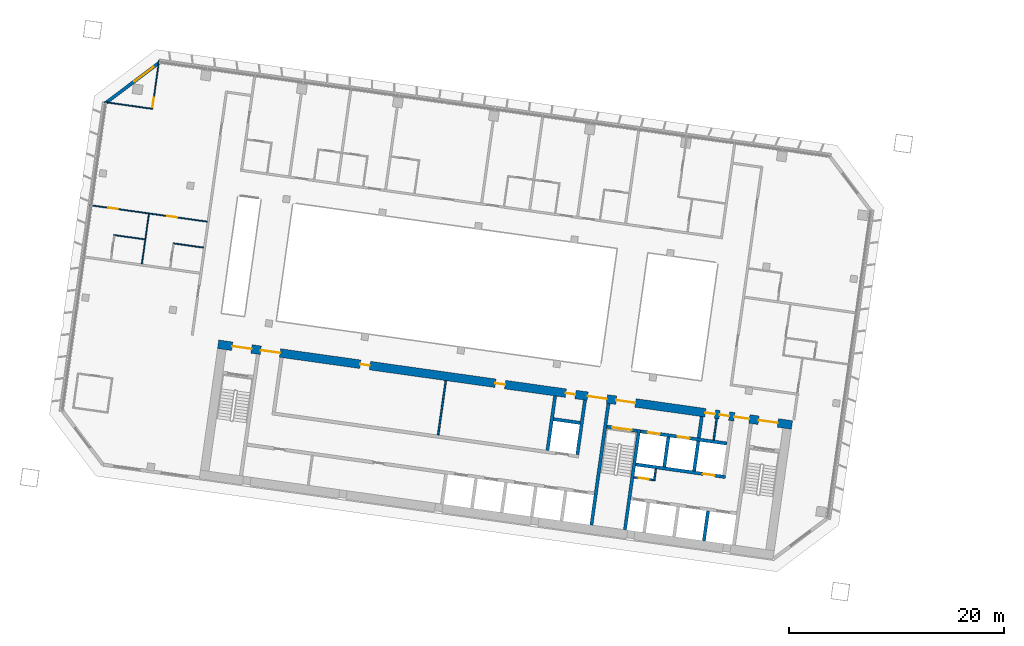
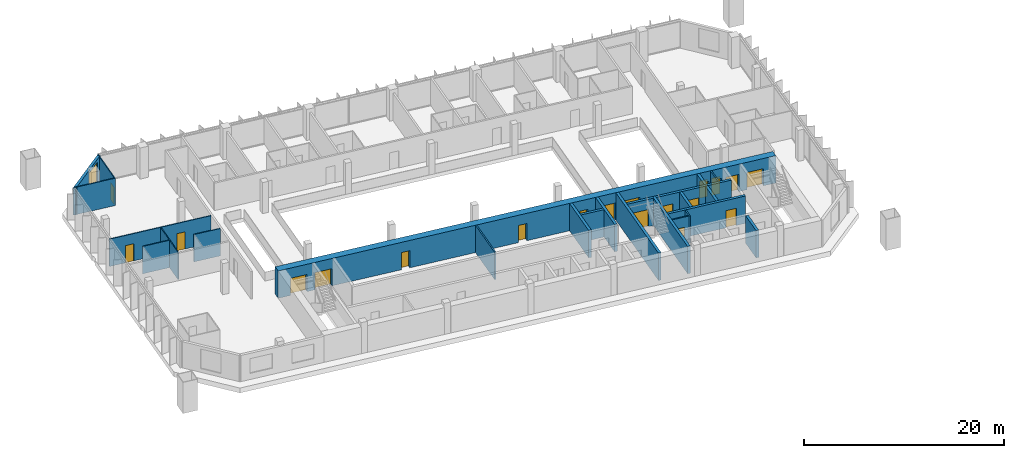
# One storey, part 15 of 24: 24 walls, 19 doors, 1 window, 20 openings.
"""IFC4 building model written with IfcOpenShell, lengths in metres."""

from ifc_helpers import new_model, si_unit, direction, frame, frame_2d, origin, place, context, subcontext, project, spatial, rectangle, extrude, material, layer, layer_set, type_object, element, fill, save


model = new_model("IFC4")

# Units and contexts
model_context = context("Model", 3, precision=1e-05, world=origin(), true_north=direction((0.0, 1.0)))
body_context = subcontext(model_context, "Body", "Model", "MODEL_VIEW")
ifc_project = project(units=[si_unit("LENGTHUNIT", "METRE"), si_unit("AREAUNIT", "SQUARE_METRE"), si_unit("VOLUMEUNIT", "CUBIC_METRE"), si_unit("PLANEANGLEUNIT", "RADIAN"), si_unit("MASSUNIT", "GRAM", prefix="KILO")], contexts=[model_context])

# Site, building, storey
site_placement = place(None, origin())
site = spatial("IfcSite", under=ifc_project, at=site_placement, CompositionType="ELEMENT")
building_placement = place(site_placement, origin())
building = spatial("IfcBuilding", under=site, at=building_placement, Name="Mirante Cascada Hotel Towers", CompositionType="ELEMENT")
storey_placement = place(building_placement, frame((0.0, 0.0, 132.9)))
storey = spatial("IfcBuildingStorey", under=building, at=storey_placement, Name="L30", CompositionType="ELEMENT", Elevation=132.9)

# Wall
ifc_material_1 = material(Name="Masonry block", Category="masonry")
ifc_layer_1 = layer(ifc_material_1, 0.15)
ifc_layer_set_1 = layer_set([ifc_layer_1], Name="Core room partition 150 block EI 30")
wall_type_1 = type_object("IfcWallType", Name="Core room partition 150 block EI 30", PredefinedType="PARTITIONING", material=ifc_layer_set_1)
wall_1_placement = place(storey_placement, frame((-48.2295, -12.793, 0.0), z_axis=(0.0, 0.0, 1.0), x_axis=(0.1391935, 0.9902652, 0.0)))
element("IfcWall", 1, at=wall_1_placement, inside=storey, type_object=wall_type_1, Name="Core wall partition T1 L30 2", PredefinedType="PARTITIONING", context=body_context, shape_type="SweptSolid", body=[
    extrude(rectangle(XDim=1.1251, YDim=0.15, at=frame_2d((0.5626, 0.0))), origin(), (0.0, 0.0, 1.0), 3.35),
])

# Wall, opening, door
wall_2_placement = place(storey_placement, frame((-48.2933, -12.7083, 0.0), z_axis=(0.0, 0.0, 1.0), x_axis=(-0.990268, 0.1391734, 0.0)))
wall_2 = element("IfcWall", 2, at=wall_2_placement, inside=storey, type_object=wall_type_1, Name="Core wall partition T1 L30 3", PredefinedType="PARTITIONING", context=body_context, shape_type="SweptSolid", body=[
    extrude(rectangle(XDim=1.8251, YDim=0.15, at=frame_2d((0.9126, 0.0))), origin(), (0.0, 0.0, 1.0), 3.35),
])
opening_1_placement = place(wall_2_placement, frame((0.4625, 0.0, 0.0)))
opening_1 = element("IfcOpeningElement", 3, at=opening_1_placement, cuts=wall_2, Name="Opening D1-30-C23", PredefinedType="OPENING", context=body_context, shape_type="SweptSolid", body=[
    extrude(rectangle(XDim=0.9, YDim=2.1, at=frame_2d((0.45, 1.05))), frame((0.0, 0.075, 0.0), z_axis=(0.0, -1.0, 0.0), x_axis=(1.0, 0.0, 0.0)), (0.0, 0.0, 1.0), 0.15),
])
ifc_material_2 = material(Name="Hollow metal fire door leaf")
door_type_1 = type_object("IfcDoorType", Name="Fire door 900x2100 FD60", OperationType="NOTDEFINED", PredefinedType="DOOR", material=ifc_material_2)
door_1_placement = place(opening_1_placement, origin())
door_1 = element("IfcDoor", 4, at=door_1_placement, inside=storey, type_object=door_type_1, Name="Riser door T1 L30 23", OperationType="SINGLE_SWING_LEFT", OverallHeight=2.1, OverallWidth=0.9, PredefinedType="DOOR", context=body_context, shape_type="SweptSolid", body=[
    extrude(rectangle(XDim=0.9, YDim=2.1, at=frame_2d((0.45, 1.05))), frame((0.0, 0.025, 0.0), z_axis=(0.0, -1.0, 0.0), x_axis=(1.0, 0.0, 0.0)), (0.0, 0.0, 1.0), 0.05),
])
fill(opening_1, door_1)

# Walls
wall_3_placement = place(storey_placement, frame((-42.6979, -9.0009, 0.0), z_axis=(0.0, 0.0, 1.0), x_axis=(0.1391529, 0.9902709, 0.0)))
element("IfcWall", 5, at=wall_3_placement, inside=storey, type_object=wall_type_1, Name="Core wall partition T1 L30 4", PredefinedType="PARTITIONING", context=body_context, shape_type="SweptSolid", body=[
    extrude(rectangle(XDim=2.0, YDim=0.15, at=frame_2d((1.0, 0.0))), origin(), (0.0, 0.0, 1.0), 3.35),
])
wall_4_placement = place(storey_placement, frame((-68.2822, -8.5358, 0.0), z_axis=(0.0, 0.0, 1.0), x_axis=(0.1391755, 0.9902677, 0.0)))
element("IfcWall", 6, at=wall_4_placement, inside=storey, type_object=wall_type_1, Name="Core wall partition T1 L30 6", PredefinedType="PARTITIONING", context=body_context, shape_type="SweptSolid", body=[
    extrude(rectangle(XDim=5.1, YDim=0.15, at=frame_2d((2.55, 0.0))), origin(), (0.0, 0.0, 1.0), 3.35),
])
ifc_material_3 = material(Name="Masonry block", Category="masonry")
ifc_layer_2 = layer(ifc_material_3, 0.3)
ifc_layer_set_2 = layer_set([ifc_layer_2], Name="Core wall 300 block EI 120")
wall_type_2 = type_object("IfcWallType", Name="Core wall 300 block EI 120", PredefinedType="PARTITIONING", material=ifc_layer_set_2)
wall_5_placement = place(storey_placement, frame((-44.0843, -8.8061, 0.0), z_axis=(0.0, 0.0, 1.0), x_axis=(0.1391951, 0.990265, 0.0)))
element("IfcWall", 7, at=wall_5_placement, inside=storey, type_object=wall_type_2, Name="Core wall partition T1 L30 1", PredefinedType="PARTITIONING", context=body_context, shape_type="SweptSolid", body=[
    extrude(rectangle(XDim=2.0001, YDim=0.3, at=frame_2d((1.0001, 0.0))), origin(), (0.0, 0.0, 1.0), 3.35),
])
ifc_material_4 = material(Name="Plasterboard on metal studs")
ifc_layer_3 = layer(ifc_material_4, 0.1)
ifc_layer_set_3 = layer_set([ifc_layer_3], Name="Partition 100")
wall_type_3 = type_object("IfcWallType", Name="Partition 100", PredefinedType="PARTITIONING", material=ifc_layer_set_3)
wall_6_placement = place(storey_placement, frame((-90.0723, 8.8662, 0.0), z_axis=(0.0, 0.0, 1.0), x_axis=(-0.9902704, 0.1391564, 0.0)))
element("IfcWall", 8, at=wall_6_placement, inside=storey, type_object=wall_type_3, Name="Wall 1-L30-07", PredefinedType="PARTITIONING", context=body_context, shape_type="SweptSolid", body=[
    extrude(rectangle(XDim=2.85, YDim=0.1, at=frame_2d((1.425, 0.0))), origin(), (0.0, 0.0, 1.0), 3.35),
])
wall_7_placement = place(storey_placement, frame((-98.3906, 10.0353, 0.0), z_axis=(0.0, 0.0, 1.0), x_axis=(0.9902683, -0.1391714, 0.0)))
element("IfcWall", 9, at=wall_7_placement, inside=storey, type_object=wall_type_3, Name="Wall 1-L30-08", PredefinedType="PARTITIONING", context=body_context, shape_type="SweptSolid", body=[
    extrude(rectangle(XDim=2.9, YDim=0.1, at=frame_2d((1.45, 0.0))), origin(), (0.0, 0.0, 1.0), 3.35),
])

# Wall, openings, doors
wall_8_placement = place(storey_placement, frame((-100.6266, 12.8067, 0.0), z_axis=(0.0, 0.0, 1.0), x_axis=(0.990268, -0.1391733, 0.0)))
wall_8 = element("IfcWall", 10, at=wall_8_placement, inside=storey, type_object=wall_type_3, Name="Wall 1-L30-10", PredefinedType="PARTITIONING", context=body_context, shape_type="SweptSolid", body=[
    extrude(rectangle(XDim=11.0, YDim=0.1, at=frame_2d((5.5, 0.0))), origin(), (0.0, 0.0, 1.0), 3.35),
])
opening_2_placement = place(wall_8_placement, frame((7.275, 0.0, 0.0)))
opening_2 = element("IfcOpeningElement", 11, at=opening_2_placement, cuts=wall_8, Name="Opening D1-L30-02", PredefinedType="OPENING", context=body_context, shape_type="SweptSolid", body=[
    extrude(rectangle(XDim=0.9, YDim=2.1, at=frame_2d((0.45, 1.05))), frame((0.0, 0.05, 0.0), z_axis=(0.0, -1.0, 0.0), x_axis=(1.0, 0.0, 0.0)), (0.0, 0.0, 1.0), 0.1),
])
opening_3_placement = place(wall_8_placement, frame((1.725, 0.0, 0.0)))
opening_3 = element("IfcOpeningElement", 12, at=opening_3_placement, cuts=wall_8, Name="Opening D1-L30-03", PredefinedType="OPENING", context=body_context, shape_type="SweptSolid", body=[
    extrude(rectangle(XDim=0.9, YDim=2.1, at=frame_2d((0.45, 1.05))), frame((0.0, 0.05, 0.0), z_axis=(0.0, -1.0, 0.0), x_axis=(1.0, 0.0, 0.0)), (0.0, 0.0, 1.0), 0.1),
])
ifc_material_5 = material(Name="Timber door leaf", Category="wood")
door_type_2 = type_object("IfcDoorType", Name="Room door DG3 900x2100", OperationType="SINGLE_SWING_LEFT", PredefinedType="DOOR", material=ifc_material_5)
door_2_placement = place(opening_2_placement, origin())
door_2 = element("IfcDoor", 13, at=door_2_placement, inside=storey, type_object=door_type_2, Name="Door D1-L30-02", OperationType="SINGLE_SWING_LEFT", OverallHeight=2.1, OverallWidth=0.9, PredefinedType="DOOR", context=body_context, shape_type="SweptSolid", body=[
    extrude(rectangle(XDim=0.9, YDim=2.1, at=frame_2d((0.45, 1.05))), frame((0.0, 0.025, 0.0), z_axis=(0.0, -1.0, 0.0), x_axis=(1.0, 0.0, 0.0)), (0.0, 0.0, 1.0), 0.05),
])
fill(opening_2, door_2)
door_3_placement = place(opening_3_placement, origin())
door_3 = element("IfcDoor", 14, at=door_3_placement, inside=storey, type_object=door_type_2, Name="Door D1-L30-03", OperationType="SINGLE_SWING_LEFT", OverallHeight=2.1, OverallWidth=0.9, PredefinedType="DOOR", context=body_context, shape_type="SweptSolid", body=[
    extrude(rectangle(XDim=0.9, YDim=2.1, at=frame_2d((0.45, 1.05))), frame((0.0, 0.025, 0.0), z_axis=(0.0, -1.0, 0.0), x_axis=(1.0, 0.0, 0.0)), (0.0, 0.0, 1.0), 0.05),
])
fill(opening_3, door_3)

# Walls
wall_9_placement = place(storey_placement, frame((-94.7756, 21.7461, 0.0), z_axis=(0.0, 0.0, 1.0), x_axis=(-0.9902661, 0.1391871, 0.0)))
element("IfcWall", 15, at=wall_9_placement, inside=storey, type_object=wall_type_3, Name="Wall 1-L30-19", PredefinedType="PARTITIONING", context=body_context, shape_type="SweptSolid", body=[
    extrude(rectangle(XDim=4.55, YDim=0.1, at=frame_2d((2.275, 0.0))), origin(), (0.0, 0.0, 1.0), 3.35),
])
wall_10_placement = place(storey_placement, frame((-95.1376, 11.9848, 0.0), z_axis=(0.0, 0.0, 1.0), x_axis=(-0.139176, -0.9902677, 0.0)))
element("IfcWall", 16, at=wall_10_placement, inside=storey, type_object=wall_type_3, Name="Wall 1-L30-48", PredefinedType="PARTITIONING", context=body_context, shape_type="SweptSolid", body=[
    extrude(rectangle(XDim=4.6833, YDim=0.1, at=frame_2d((2.3416, 0.0))), origin(), (0.0, 0.0, 1.0), 3.35),
])

# Wall, opening, door
wall_11_placement = place(storey_placement, frame((-94.8181, 21.8026, 0.0), z_axis=(0.0, 0.0, 1.0), x_axis=(0.1391684, 0.9902687, 0.0)))
wall_11 = element("IfcWall", 17, at=wall_11_placement, inside=storey, type_object=wall_type_3, Name="Wall 1-L30-49", PredefinedType="PARTITIONING", context=body_context, shape_type="SweptSolid", body=[
    extrude(rectangle(XDim=4.45, YDim=0.1, at=frame_2d((2.225, 0.0))), origin(), (0.0, 0.0, 1.0), 3.35),
])
opening_4_placement = place(wall_11_placement, frame((0.1, 0.0, 0.0)))
opening_4 = element("IfcOpeningElement", 18, at=opening_4_placement, cuts=wall_11, Name="Opening D1-L30-30", PredefinedType="OPENING", context=body_context, shape_type="SweptSolid", body=[
    extrude(rectangle(XDim=0.9, YDim=2.1, at=frame_2d((0.45, 1.05))), frame((0.0, 0.05, 0.0), z_axis=(0.0, -1.0, 0.0), x_axis=(1.0, 0.0, 0.0)), (0.0, 0.0, 1.0), 0.1),
])
door_4_placement = place(opening_4_placement, frame((0.9, 0.0, 0.0), z_axis=(0.0, 0.0, 1.0), x_axis=(-1.0, 0.0, 0.0)))
door_4 = element("IfcDoor", 19, at=door_4_placement, inside=storey, type_object=door_type_2, Name="Door D1-L30-30", OperationType="SINGLE_SWING_RIGHT", OverallHeight=2.1, OverallWidth=0.9, PredefinedType="DOOR", context=body_context, shape_type="SweptSolid", body=[
    extrude(rectangle(XDim=0.9, YDim=2.1, at=frame_2d((0.45, 1.05))), frame((0.0, 0.025, 0.0), z_axis=(0.0, -1.0, 0.0), x_axis=(1.0, 0.0, 0.0)), (0.0, 0.0, 1.0), 0.05),
])
fill(opening_4, door_4)

# Wall, opening, window
ifc_material_6 = material(Name="Precast concrete C40/50", Category="concrete")
ifc_layer_4 = layer(ifc_material_6, 0.3)
ifc_layer_set_4 = layer_set([ifc_layer_4], Name="Precast concrete C40/50 cladding wall 300")
wall_type_4 = type_object("IfcWallType", Name="Precast concrete C40/50 cladding wall 300", PredefinedType="STANDARD", material=ifc_layer_set_4)
wall_12_placement = place(storey_placement, frame((-99.0919, 22.3343, 0.0), z_axis=(0.0, 0.0, 1.0), x_axis=(0.7986362, 0.6018141, 0.0)))
wall_12 = element("IfcWall", 20, at=wall_12_placement, inside=storey, type_object=wall_type_4, Name="Corner cladding wall T1 L30 outer front", PredefinedType="STANDARD", context=body_context, shape_type="SweptSolid", body=[
    extrude(rectangle(XDim=6.1157, YDim=0.3, at=frame_2d((3.0578, 0.0))), origin(), (0.0, 0.0, 1.0), 3.35),
])
opening_5_placement = place(wall_12_placement, frame((3.2692, 0.0, 0.6)))
opening_5 = element("IfcOpeningElement", 21, at=opening_5_placement, cuts=wall_12, Name="Opening W1-30-04", PredefinedType="OPENING", context=body_context, shape_type="SweptSolid", body=[
    extrude(rectangle(XDim=2.2, YDim=2.4, at=frame_2d((1.1, 1.2))), frame((0.0, 0.15, 0.0), z_axis=(0.0, -1.0, 0.0), x_axis=(1.0, 0.0, 0.0)), (0.0, 0.0, 1.0), 0.3),
])
ifc_material_7 = material(Name="Aluminium frame with clear double glazing", Category="aluminium")
window_type = type_object("IfcWindowType", Name="Corner suite window 2200x2400", PartitioningType="DOUBLE_PANEL_VERTICAL", PredefinedType="WINDOW", material=ifc_material_7)
window_placement = place(opening_5_placement, origin())
window = element("IfcWindow", 22, at=window_placement, inside=storey, type_object=window_type, Name="Window W1-30-04", OverallHeight=2.4, OverallWidth=2.2, PartitioningType="SINGLE_PANEL", PredefinedType="WINDOW", context=body_context, shape_type="SweptSolid", body=[
    extrude(rectangle(XDim=2.2, YDim=2.4, at=frame_2d((1.1, 1.2))), frame((0.0, 0.03, 0.0), z_axis=(0.0, -1.0, 0.0), x_axis=(1.0, 0.0, 0.0)), (0.0, 0.0, 1.0), 0.06),
])
fill(opening_5, window)

# Walls
ifc_material_8 = material(Name="Concrete C50/60", Category="concrete")
ifc_layer_5 = layer(ifc_material_8, 0.3)
ifc_layer_set_5 = layer_set([ifc_layer_5], Name="RC core wall 300 C50/60")
wall_type_5 = type_object("IfcWallType", Name="RC core wall 300 C50/60", PredefinedType="SHEAR", material=ifc_layer_set_5)
wall_13_placement = place(storey_placement, frame((-50.938, -17.3352, 0.0), z_axis=(0.0, 0.0, 1.0), x_axis=(0.1391706, 0.9902684, 0.0)))
element("IfcWall", 23, at=wall_13_placement, inside=storey, type_object=wall_type_5, Name="Core wall T1:L30:6", PredefinedType="SHEAR", context=body_context, shape_type="SweptSolid", body=[
    extrude(rectangle(XDim=9.4, YDim=0.3, at=frame_2d((4.7, 0.0))), origin(), (0.0, 0.0, 1.0), 3.35),
])
wall_14_placement = place(storey_placement, frame((-54.0574, -16.8968, 0.0), z_axis=(0.0, 0.0, 1.0), x_axis=(0.1391761, 0.9902677, 0.0)))
element("IfcWall", 24, at=wall_14_placement, inside=storey, type_object=wall_type_5, Name="Core wall T1:L30:7", PredefinedType="SHEAR", context=body_context, shape_type="SweptSolid", body=[
    extrude(rectangle(XDim=11.3999, YDim=0.3, at=frame_2d((5.7, 0.0))), origin(), (0.0, 0.0, 1.0), 3.35),
])

# Wall, opening, door
wall_15_placement = place(storey_placement, frame((-49.7992, -8.1544, 0.0), z_axis=(0.0, 0.0, 1.0), x_axis=(-0.9902656, 0.1391909, 0.0)))
wall_15 = element("IfcWall", 25, at=wall_15_placement, inside=storey, type_object=wall_type_5, Name="Core wall T1:L30:10", PredefinedType="SHEAR", context=body_context, shape_type="SweptSolid", body=[
    extrude(rectangle(XDim=2.85, YDim=0.3, at=frame_2d((1.425, 0.0))), origin(), (0.0, 0.0, 1.0), 3.35),
])
opening_6_placement = place(wall_15_placement, frame((0.525, 0.0, 0.0)))
opening_6 = element("IfcOpeningElement", 26, at=opening_6_placement, cuts=wall_15, Name="Opening D1-30-C15", PredefinedType="OPENING", context=body_context, shape_type="SweptSolid", body=[
    extrude(rectangle(XDim=1.8, YDim=2.1, at=frame_2d((0.9, 1.05))), frame((0.0, 0.15, 0.0), z_axis=(0.0, -1.0, 0.0), x_axis=(1.0, 0.0, 0.0)), (0.0, 0.0, 1.0), 0.3),
])
ifc_material_9 = material(Name="Hollow metal fire door leaf")
door_type_3 = type_object("IfcDoorType", Name="Double fire door 1800x2100 FD60", OperationType="DOUBLE_DOOR_SINGLE_SWING", PredefinedType="DOOR", material=ifc_material_9)
door_5_placement = place(opening_6_placement, origin())
door_5 = element("IfcDoor", 27, at=door_5_placement, inside=storey, type_object=door_type_3, Name="Stair door T1 L30 15", OperationType="DOUBLE_DOOR_SINGLE_SWING", OverallHeight=2.1, OverallWidth=1.8, PredefinedType="DOOR", context=body_context, shape_type="SweptSolid", body=[
    extrude(rectangle(XDim=0.895, YDim=2.1, at=frame_2d((0.4475, 1.05))), frame((0.0, 0.025, 0.0), z_axis=(0.0, -1.0, 0.0), x_axis=(1.0, 0.0, 0.0)), (0.0, 0.0, 1.0), 0.05),
    extrude(rectangle(XDim=0.895, YDim=2.1, at=frame_2d((1.3525, 1.05))), frame((0.0, 0.025, 0.0), z_axis=(0.0, -1.0, 0.0), x_axis=(1.0, 0.0, 0.0)), (0.0, 0.0, 1.0), 0.05),
])
fill(opening_6, door_5)

wall_16_placement = place(storey_placement, frame((-41.6153, -12.435, 0.0), z_axis=(0.0, 0.0, 1.0), x_axis=(-0.9902691, 0.139166, 0.0)))
wall_16 = element("IfcWall", 28, at=wall_16_placement, inside=storey, type_object=wall_type_5, Name="Core wall T1:L30:13", PredefinedType="SHEAR", context=body_context, shape_type="SweptSolid", body=[
    extrude(rectangle(XDim=8.4, YDim=0.3, at=frame_2d((4.2, 0.0))), origin(), (0.0, 0.0, 1.0), 3.35),
])
opening_7_placement = place(wall_16_placement, frame((1.0, 0.0, 0.0)))
opening_7 = element("IfcOpeningElement", 29, at=opening_7_placement, cuts=wall_16, Name="Opening LD", PredefinedType="OPENING", context=body_context, shape_type="SweptSolid", body=[
    extrude(rectangle(XDim=1.1, YDim=2.1, at=frame_2d((0.55, 1.05))), frame((0.0, 0.15, 0.0), z_axis=(0.0, -1.0, 0.0), x_axis=(1.0, 0.0, 0.0)), (0.0, 0.0, 1.0), 0.3),
])
ifc_material_10 = material(Name="Stainless steel", Category="steel")
door_type_4 = type_object("IfcDoorType", Name="Lift landing door 1100x2100 EI 120", OperationType="DOUBLE_DOOR_SLIDING", PredefinedType="DOOR", material=ifc_material_10)
door_6_placement = place(opening_7_placement, origin())
door_6 = element("IfcDoor", 30, at=door_6_placement, inside=storey, type_object=door_type_4, Name="Lift landing door HR1-4 L30", OperationType="DOUBLE_DOOR_SLIDING", OverallHeight=2.1, OverallWidth=1.1, PredefinedType="DOOR", context=body_context, shape_type="SweptSolid", body=[
    extrude(rectangle(XDim=0.545, YDim=2.1, at=frame_2d((0.2725, 1.05))), frame((0.0, 0.025, 0.0), z_axis=(0.0, -1.0, 0.0), x_axis=(1.0, 0.0, 0.0)), (0.0, 0.0, 1.0), 0.05),
    extrude(rectangle(XDim=0.545, YDim=2.1, at=frame_2d((0.8275, 1.05))), frame((0.0, 0.025, 0.0), z_axis=(0.0, -1.0, 0.0), x_axis=(1.0, 0.0, 0.0)), (0.0, 0.0, 1.0), 0.05),
])
fill(opening_7, door_6)

# Wall, openings, doors
wall_17_placement = place(storey_placement, frame((-41.481, -9.3234, 0.0), z_axis=(0.0, 0.0, 1.0), x_axis=(-0.9902679, 0.1391741, 0.0)))
wall_17 = element("IfcWall", 31, at=wall_17_placement, inside=storey, type_object=wall_type_5, Name="Core wall T1:L30:14", PredefinedType="SHEAR", context=body_context, shape_type="SweptSolid", body=[
    extrude(rectangle(XDim=8.0999, YDim=0.3, at=frame_2d((4.05, 0.0))), origin(), (0.0, 0.0, 1.0), 3.35),
])
opening_8_placement = place(wall_17_placement, frame((3.5, 0.0, 0.0)))
opening_8 = element("IfcOpeningElement", 32, at=opening_8_placement, cuts=wall_17, Name="Opening LD", PredefinedType="OPENING", context=body_context, shape_type="SweptSolid", body=[
    extrude(rectangle(XDim=1.1, YDim=2.1, at=frame_2d((0.55, 1.05))), frame((0.0, 0.15, 0.0), z_axis=(0.0, -1.0, 0.0), x_axis=(1.0, 0.0, 0.0)), (0.0, 0.0, 1.0), 0.3),
])
opening_9_placement = place(wall_17_placement, frame((6.3, 0.0, 0.0)))
opening_9 = element("IfcOpeningElement", 33, at=opening_9_placement, cuts=wall_17, Name="Opening LD", PredefinedType="OPENING", context=body_context, shape_type="SweptSolid", body=[
    extrude(rectangle(XDim=1.1, YDim=2.1, at=frame_2d((0.55, 1.05))), frame((0.0, 0.15, 0.0), z_axis=(0.0, -1.0, 0.0), x_axis=(1.0, 0.0, 0.0)), (0.0, 0.0, 1.0), 0.3),
])
door_7_placement = place(opening_8_placement, origin())
door_7 = element("IfcDoor", 34, at=door_7_placement, inside=storey, type_object=door_type_4, Name="Lift landing door FF1 L30", OperationType="DOUBLE_DOOR_SLIDING", OverallHeight=2.1, OverallWidth=1.1, PredefinedType="DOOR", context=body_context, shape_type="SweptSolid", body=[
    extrude(rectangle(XDim=0.545, YDim=2.1, at=frame_2d((0.2725, 1.05))), frame((0.0, 0.025, 0.0), z_axis=(0.0, -1.0, 0.0), x_axis=(1.0, 0.0, 0.0)), (0.0, 0.0, 1.0), 0.05),
    extrude(rectangle(XDim=0.545, YDim=2.1, at=frame_2d((0.8275, 1.05))), frame((0.0, 0.025, 0.0), z_axis=(0.0, -1.0, 0.0), x_axis=(1.0, 0.0, 0.0)), (0.0, 0.0, 1.0), 0.05),
])
fill(opening_8, door_7)
door_8_placement = place(opening_9_placement, origin())
door_8 = element("IfcDoor", 35, at=door_8_placement, inside=storey, type_object=door_type_4, Name="Lift landing door FF2 L30", OperationType="DOUBLE_DOOR_SLIDING", OverallHeight=2.1, OverallWidth=1.1, PredefinedType="DOOR", context=body_context, shape_type="SweptSolid", body=[
    extrude(rectangle(XDim=0.545, YDim=2.1, at=frame_2d((0.2725, 1.05))), frame((0.0, 0.025, 0.0), z_axis=(0.0, -1.0, 0.0), x_axis=(1.0, 0.0, 0.0)), (0.0, 0.0, 1.0), 0.05),
    extrude(rectangle(XDim=0.545, YDim=2.1, at=frame_2d((0.8275, 1.05))), frame((0.0, 0.025, 0.0), z_axis=(0.0, -1.0, 0.0), x_axis=(1.0, 0.0, 0.0)), (0.0, 0.0, 1.0), 0.05),
])
fill(opening_9, door_8)

# Walls
wall_18_placement = place(storey_placement, frame((-43.61, -18.3651, 0.0), z_axis=(0.0, 0.0, 1.0), x_axis=(0.1391459, 0.9902719, 0.0)))
element("IfcWall", 36, at=wall_18_placement, inside=storey, type_object=wall_type_5, Name="Core wall T1:L30:15", PredefinedType="SHEAR", context=body_context, shape_type="SweptSolid", body=[
    extrude(rectangle(XDim=2.7999, YDim=0.3, at=frame_2d((1.4, 0.0))), origin(), (0.0, 0.0, 1.0), 3.35),
])
for number, where, z_axis, x_axis, name in (
    (37, (-44.5157, -11.8759, 0.0), (0.0, 0.0, 1.0), (0.139181, 0.990267, 0.0), "Core wall T1:L30:18"),
    (38, (-47.2885, -11.4862, 0.0), (0.0, 0.0, 1.0), (0.139181, 0.990267, 0.0), "Core wall T1:L30:19"),
):
    element("IfcWall", number, at=place(storey_placement, frame(where, z_axis=z_axis, x_axis=x_axis)), inside=storey, type_object=wall_type_5, Name=name, PredefinedType="SHEAR", context=body_context, shape_type="SweptSolid", body=[
        extrude(rectangle(XDim=2.8, YDim=0.3, at=frame_2d((1.4, 0.0))), origin(), (0.0, 0.0, 1.0), 3.35),
    ])
for number, where, z_axis, x_axis, name in (
    (39, (-55.3592, -10.352, 0.0), (0.0, 0.0, 1.0), (0.1391755, 0.9902677, 0.0), "Core wall T1:L30:33"),
    (40, (-58.1319, -9.9623, 0.0), (0.0, 0.0, 1.0), (0.1391755, 0.9902677, 0.0), "Core wall T1:L30:35"),
):
    element("IfcWall", number, at=place(storey_placement, frame(where, z_axis=z_axis, x_axis=x_axis)), inside=storey, type_object=wall_type_5, Name=name, PredefinedType="SHEAR", context=body_context, shape_type="SweptSolid", body=[
        extrude(rectangle(XDim=5.1, YDim=0.3, at=frame_2d((2.55, 0.0))), origin(), (0.0, 0.0, 1.0), 3.35),
    ])
wall_19_placement = place(storey_placement, frame((-55.0971, -7.4098, 0.0), z_axis=(0.0, 0.0, 1.0), x_axis=(-0.9902701, 0.1391586, 0.0)))
element("IfcWall", 41, at=wall_19_placement, inside=storey, type_object=wall_type_5, Name="Core wall T1:L30:36", PredefinedType="SHEAR", context=body_context, shape_type="SweptSolid", body=[
    extrude(rectangle(XDim=2.5, YDim=0.3, at=frame_2d((1.25, 0.0))), origin(), (0.0, 0.0, 1.0), 3.35),
])

# Wall, openings, doors
ifc_material_11 = material(Name="Concrete C50/60", Category="concrete")
ifc_layer_6 = layer(ifc_material_11, 0.8)
ifc_layer_set_6 = layer_set([ifc_layer_6], Name="RC core wall 800 C50/60")
wall_type_6 = type_object("IfcWallType", Name="RC core wall 800 C50/60", PredefinedType="SHEAR", material=ifc_layer_set_6)
wall_20_placement = place(storey_placement, frame((-35.432, -7.5985, 0.0), z_axis=(0.0, 0.0, 1.0), x_axis=(-0.9902681, 0.1391729, 0.0)))
wall_20 = element("IfcWall", 42, at=wall_20_placement, inside=storey, type_object=wall_type_6, Name="Core wall T1:L30:2", PredefinedType="SHEAR", context=body_context, shape_type="SweptSolid", body=[
    extrude(rectangle(XDim=53.8, YDim=0.8, at=frame_2d((26.9, 0.0))), origin(), (0.0, 0.0, 1.0), 3.35),
])
opening_10_placement = place(wall_20_placement, frame((1.325, 0.0, 0.0)))
opening_10 = element("IfcOpeningElement", 43, at=opening_10_placement, cuts=wall_20, Name="Opening D1-30-C14", PredefinedType="OPENING", context=body_context, shape_type="SweptSolid", body=[
    extrude(rectangle(XDim=1.8, YDim=2.1, at=frame_2d((0.9, 1.05))), frame((0.0, 0.4, 0.0), z_axis=(0.0, -1.0, 0.0), x_axis=(1.0, 0.0, 0.0)), (0.0, 0.0, 1.0), 0.8),
])
opening_11_placement = place(wall_20_placement, frame((14.675, 0.0, 0.0)))
opening_11 = element("IfcOpeningElement", 44, at=opening_11_placement, cuts=wall_20, Name="Opening D1-30-C16", PredefinedType="OPENING", context=body_context, shape_type="SweptSolid", body=[
    extrude(rectangle(XDim=1.8, YDim=2.1, at=frame_2d((0.9, 1.05))), frame((0.0, 0.4, 0.0), z_axis=(0.0, -1.0, 0.0), x_axis=(1.0, 0.0, 0.0)), (0.0, 0.0, 1.0), 0.8),
])
opening_12_placement = place(wall_20_placement, frame((50.675, 0.0, 0.0)))
opening_12 = element("IfcOpeningElement", 45, at=opening_12_placement, cuts=wall_20, Name="Opening D1-30-C18", PredefinedType="OPENING", context=body_context, shape_type="SweptSolid", body=[
    extrude(rectangle(XDim=1.8, YDim=2.1, at=frame_2d((0.9, 1.05))), frame((0.0, 0.4, 0.0), z_axis=(0.0, -1.0, 0.0), x_axis=(1.0, 0.0, 0.0)), (0.0, 0.0, 1.0), 0.8),
])
opening_13_placement = place(wall_20_placement, frame((4.0, 0.0, 0.0)))
opening_13 = element("IfcOpeningElement", 46, at=opening_13_placement, cuts=wall_20, Name="Opening D1-30-C19", PredefinedType="OPENING", context=body_context, shape_type="SweptSolid", body=[
    extrude(rectangle(XDim=1.4, YDim=2.1, at=frame_2d((0.7, 1.05))), frame((0.0, 0.4, 0.0), z_axis=(0.0, -1.0, 0.0), x_axis=(1.0, 0.0, 0.0)), (0.0, 0.0, 1.0), 0.8),
])
opening_14_placement = place(wall_20_placement, frame((17.35, 0.0, 0.0)))
opening_14 = element("IfcOpeningElement", 47, at=opening_14_placement, cuts=wall_20, Name="Opening D1-30-C20", PredefinedType="OPENING", context=body_context, shape_type="SweptSolid", body=[
    extrude(rectangle(XDim=1.8, YDim=2.1, at=frame_2d((0.9, 1.05))), frame((0.0, 0.4, 0.0), z_axis=(0.0, -1.0, 0.0), x_axis=(1.0, 0.0, 0.0)), (0.0, 0.0, 1.0), 0.8),
])
opening_15_placement = place(wall_20_placement, frame((48.0, 0.0, 0.0)))
opening_15 = element("IfcOpeningElement", 48, at=opening_15_placement, cuts=wall_20, Name="Opening D1-30-C21", PredefinedType="OPENING", context=body_context, shape_type="SweptSolid", body=[
    extrude(rectangle(XDim=1.8, YDim=2.1, at=frame_2d((0.9, 1.05))), frame((0.0, 0.4, 0.0), z_axis=(0.0, -1.0, 0.0), x_axis=(1.0, 0.0, 0.0)), (0.0, 0.0, 1.0), 0.8),
])
opening_16_placement = place(wall_20_placement, frame((5.8875, 0.0, 0.0)))
opening_16 = element("IfcOpeningElement", 49, at=opening_16_placement, cuts=wall_20, Name="Opening D1-30-C24", PredefinedType="OPENING", context=body_context, shape_type="SweptSolid", body=[
    extrude(rectangle(XDim=0.9, YDim=2.1, at=frame_2d((0.45, 1.05))), frame((0.0, 0.4, 0.0), z_axis=(0.0, -1.0, 0.0), x_axis=(1.0, 0.0, 0.0)), (0.0, 0.0, 1.0), 0.8),
])
opening_17_placement = place(wall_20_placement, frame((7.2125, 0.0, 0.0)))
opening_17 = element("IfcOpeningElement", 50, at=opening_17_placement, cuts=wall_20, Name="Opening D1-30-C25", PredefinedType="OPENING", context=body_context, shape_type="SweptSolid", body=[
    extrude(rectangle(XDim=0.9, YDim=2.1, at=frame_2d((0.45, 1.05))), frame((0.0, 0.4, 0.0), z_axis=(0.0, -1.0, 0.0), x_axis=(1.0, 0.0, 0.0)), (0.0, 0.0, 1.0), 0.8),
])
opening_18_placement = place(wall_20_placement, frame((20.3, 0.0, 0.0)))
opening_18 = element("IfcOpeningElement", 51, at=opening_18_placement, cuts=wall_20, Name="Opening D1-30-C28", PredefinedType="OPENING", context=body_context, shape_type="SweptSolid", body=[
    extrude(rectangle(XDim=0.9, YDim=2.1, at=frame_2d((0.45, 1.05))), frame((0.0, 0.4, 0.0), z_axis=(0.0, -1.0, 0.0), x_axis=(1.0, 0.0, 0.0)), (0.0, 0.0, 1.0), 0.8),
])
opening_19_placement = place(wall_20_placement, frame((26.9, 0.0, 0.0)))
opening_19 = element("IfcOpeningElement", 52, at=opening_19_placement, cuts=wall_20, Name="Opening D1-30-C29", PredefinedType="OPENING", context=body_context, shape_type="SweptSolid", body=[
    extrude(rectangle(XDim=0.9, YDim=2.1, at=frame_2d((0.45, 1.05))), frame((0.0, 0.4, 0.0), z_axis=(0.0, -1.0, 0.0), x_axis=(1.0, 0.0, 0.0)), (0.0, 0.0, 1.0), 0.8),
])
opening_20_placement = place(wall_20_placement, frame((39.575, 0.0, 0.0)))
opening_20 = element("IfcOpeningElement", 53, at=opening_20_placement, cuts=wall_20, Name="Opening D1-30-C30", PredefinedType="OPENING", context=body_context, shape_type="SweptSolid", body=[
    extrude(rectangle(XDim=0.9, YDim=2.1, at=frame_2d((0.45, 1.05))), frame((0.0, 0.4, 0.0), z_axis=(0.0, -1.0, 0.0), x_axis=(1.0, 0.0, 0.0)), (0.0, 0.0, 1.0), 0.8),
])
ifc_material_12 = material(Name="Hollow metal fire door leaf")
door_type_5 = type_object("IfcDoorType", Name="Double fire door 1400x2100 FD60", OperationType="DOUBLE_DOOR_SINGLE_SWING", PredefinedType="DOOR", material=ifc_material_12)
door_9_placement = place(opening_13_placement, frame((1.4, 0.0, 0.0), z_axis=(0.0, 0.0, 1.0), x_axis=(-1.0, 0.0, 0.0)))
door_9 = element("IfcDoor", 54, at=door_9_placement, inside=storey, type_object=door_type_5, Name="Exit door to gallery T1 L30 19", OperationType="DOUBLE_DOOR_SINGLE_SWING", OverallHeight=2.1, OverallWidth=1.4, PredefinedType="DOOR", context=body_context, shape_type="SweptSolid", body=[
    extrude(rectangle(XDim=0.695, YDim=2.1, at=frame_2d((0.3475, 1.05))), frame((0.0, 0.025, 0.0), z_axis=(0.0, -1.0, 0.0), x_axis=(1.0, 0.0, 0.0)), (0.0, 0.0, 1.0), 0.05),
    extrude(rectangle(XDim=0.695, YDim=2.1, at=frame_2d((1.0525, 1.05))), frame((0.0, 0.025, 0.0), z_axis=(0.0, -1.0, 0.0), x_axis=(1.0, 0.0, 0.0)), (0.0, 0.0, 1.0), 0.05),
])
fill(opening_13, door_9)
door_10_placement = place(opening_10_placement, origin())
door_10 = element("IfcDoor", 55, at=door_10_placement, inside=storey, type_object=door_type_3, Name="Exit door to gallery T1 L30 14", OperationType="DOUBLE_DOOR_SINGLE_SWING", OverallHeight=2.1, OverallWidth=1.8, PredefinedType="DOOR", context=body_context, shape_type="SweptSolid", body=[
    extrude(rectangle(XDim=0.895, YDim=2.1, at=frame_2d((0.4475, 1.05))), frame((0.0, 0.025, 0.0), z_axis=(0.0, -1.0, 0.0), x_axis=(1.0, 0.0, 0.0)), (0.0, 0.0, 1.0), 0.05),
    extrude(rectangle(XDim=0.895, YDim=2.1, at=frame_2d((1.3525, 1.05))), frame((0.0, 0.025, 0.0), z_axis=(0.0, -1.0, 0.0), x_axis=(1.0, 0.0, 0.0)), (0.0, 0.0, 1.0), 0.05),
])
fill(opening_10, door_10)
door_11_placement = place(opening_11_placement, origin())
door_11 = element("IfcDoor", 56, at=door_11_placement, inside=storey, type_object=door_type_3, Name="Exit door to gallery T1 L30 16", OperationType="DOUBLE_DOOR_SINGLE_SWING", OverallHeight=2.1, OverallWidth=1.8, PredefinedType="DOOR", context=body_context, shape_type="SweptSolid", body=[
    extrude(rectangle(XDim=0.895, YDim=2.1, at=frame_2d((0.4475, 1.05))), frame((0.0, 0.025, 0.0), z_axis=(0.0, -1.0, 0.0), x_axis=(1.0, 0.0, 0.0)), (0.0, 0.0, 1.0), 0.05),
    extrude(rectangle(XDim=0.895, YDim=2.1, at=frame_2d((1.3525, 1.05))), frame((0.0, 0.025, 0.0), z_axis=(0.0, -1.0, 0.0), x_axis=(1.0, 0.0, 0.0)), (0.0, 0.0, 1.0), 0.05),
])
fill(opening_11, door_11)
door_12_placement = place(opening_12_placement, origin())
door_12 = element("IfcDoor", 57, at=door_12_placement, inside=storey, type_object=door_type_3, Name="Exit door to gallery T1 L30 18", OperationType="DOUBLE_DOOR_SINGLE_SWING", OverallHeight=2.1, OverallWidth=1.8, PredefinedType="DOOR", context=body_context, shape_type="SweptSolid", body=[
    extrude(rectangle(XDim=0.895, YDim=2.1, at=frame_2d((0.4475, 1.05))), frame((0.0, 0.025, 0.0), z_axis=(0.0, -1.0, 0.0), x_axis=(1.0, 0.0, 0.0)), (0.0, 0.0, 1.0), 0.05),
    extrude(rectangle(XDim=0.895, YDim=2.1, at=frame_2d((1.3525, 1.05))), frame((0.0, 0.025, 0.0), z_axis=(0.0, -1.0, 0.0), x_axis=(1.0, 0.0, 0.0)), (0.0, 0.0, 1.0), 0.05),
])
fill(opening_12, door_12)
door_13_placement = place(opening_14_placement, frame((1.8, 0.0, 0.0), z_axis=(0.0, 0.0, 1.0), x_axis=(-1.0, 0.0, 0.0)))
door_13 = element("IfcDoor", 58, at=door_13_placement, inside=storey, type_object=door_type_3, Name="Exit door to gallery T1 L30 20", OperationType="DOUBLE_DOOR_SINGLE_SWING", OverallHeight=2.1, OverallWidth=1.8, PredefinedType="DOOR", context=body_context, shape_type="SweptSolid", body=[
    extrude(rectangle(XDim=0.895, YDim=2.1, at=frame_2d((0.4475, 1.05))), frame((0.0, 0.025, 0.0), z_axis=(0.0, -1.0, 0.0), x_axis=(1.0, 0.0, 0.0)), (0.0, 0.0, 1.0), 0.05),
    extrude(rectangle(XDim=0.895, YDim=2.1, at=frame_2d((1.3525, 1.05))), frame((0.0, 0.025, 0.0), z_axis=(0.0, -1.0, 0.0), x_axis=(1.0, 0.0, 0.0)), (0.0, 0.0, 1.0), 0.05),
])
fill(opening_14, door_13)
door_14_placement = place(opening_15_placement, frame((1.8, 0.0, 0.0), z_axis=(0.0, 0.0, 1.0), x_axis=(-1.0, 0.0, 0.0)))
door_14 = element("IfcDoor", 59, at=door_14_placement, inside=storey, type_object=door_type_3, Name="Exit door to gallery T1 L30 21", OperationType="DOUBLE_DOOR_SINGLE_SWING", OverallHeight=2.1, OverallWidth=1.8, PredefinedType="DOOR", context=body_context, shape_type="SweptSolid", body=[
    extrude(rectangle(XDim=0.895, YDim=2.1, at=frame_2d((0.4475, 1.05))), frame((0.0, 0.025, 0.0), z_axis=(0.0, -1.0, 0.0), x_axis=(1.0, 0.0, 0.0)), (0.0, 0.0, 1.0), 0.05),
    extrude(rectangle(XDim=0.895, YDim=2.1, at=frame_2d((1.3525, 1.05))), frame((0.0, 0.025, 0.0), z_axis=(0.0, -1.0, 0.0), x_axis=(1.0, 0.0, 0.0)), (0.0, 0.0, 1.0), 0.05),
])
fill(opening_15, door_14)
door_15_placement = place(opening_16_placement, origin())
door_15 = element("IfcDoor", 60, at=door_15_placement, inside=storey, type_object=door_type_1, Name="Room door T1 L30 24", OperationType="SINGLE_SWING_RIGHT", OverallHeight=2.1, OverallWidth=0.9, PredefinedType="DOOR", context=body_context, shape_type="SweptSolid", body=[
    extrude(rectangle(XDim=0.9, YDim=2.1, at=frame_2d((0.45, 1.05))), frame((0.0, 0.025, 0.0), z_axis=(0.0, -1.0, 0.0), x_axis=(1.0, 0.0, 0.0)), (0.0, 0.0, 1.0), 0.05),
])
fill(opening_16, door_15)
door_16_placement = place(opening_17_placement, origin())
door_16 = element("IfcDoor", 61, at=door_16_placement, inside=storey, type_object=door_type_1, Name="Room door T1 L30 25", OperationType="SINGLE_SWING_RIGHT", OverallHeight=2.1, OverallWidth=0.9, PredefinedType="DOOR", context=body_context, shape_type="SweptSolid", body=[
    extrude(rectangle(XDim=0.9, YDim=2.1, at=frame_2d((0.45, 1.05))), frame((0.0, 0.025, 0.0), z_axis=(0.0, -1.0, 0.0), x_axis=(1.0, 0.0, 0.0)), (0.0, 0.0, 1.0), 0.05),
])
fill(opening_17, door_16)
door_17_placement = place(opening_18_placement, origin())
door_17 = element("IfcDoor", 62, at=door_17_placement, inside=storey, type_object=door_type_1, Name="Room door T1 L30 28", OperationType="SINGLE_SWING_RIGHT", OverallHeight=2.1, OverallWidth=0.9, PredefinedType="DOOR", context=body_context, shape_type="SweptSolid", body=[
    extrude(rectangle(XDim=0.9, YDim=2.1, at=frame_2d((0.45, 1.05))), frame((0.0, 0.025, 0.0), z_axis=(0.0, -1.0, 0.0), x_axis=(1.0, 0.0, 0.0)), (0.0, 0.0, 1.0), 0.05),
])
fill(opening_18, door_17)
door_18_placement = place(opening_19_placement, origin())
door_18 = element("IfcDoor", 63, at=door_18_placement, inside=storey, type_object=door_type_1, Name="Room door T1 L30 29", OperationType="SINGLE_SWING_LEFT", OverallHeight=2.1, OverallWidth=0.9, PredefinedType="DOOR", context=body_context, shape_type="SweptSolid", body=[
    extrude(rectangle(XDim=0.9, YDim=2.1, at=frame_2d((0.45, 1.05))), frame((0.0, 0.025, 0.0), z_axis=(0.0, -1.0, 0.0), x_axis=(1.0, 0.0, 0.0)), (0.0, 0.0, 1.0), 0.05),
])
fill(opening_19, door_18)
door_19_placement = place(opening_20_placement, origin())
door_19 = element("IfcDoor", 64, at=door_19_placement, inside=storey, type_object=door_type_1, Name="Room door T1 L30 30", OperationType="SINGLE_SWING_LEFT", OverallHeight=2.1, OverallWidth=0.9, PredefinedType="DOOR", context=body_context, shape_type="SweptSolid", body=[
    extrude(rectangle(XDim=0.9, YDim=2.1, at=frame_2d((0.45, 1.05))), frame((0.0, 0.025, 0.0), z_axis=(0.0, -1.0, 0.0), x_axis=(1.0, 0.0, 0.0)), (0.0, 0.0, 1.0), 0.05),
])
fill(opening_20, door_19)

save(model, "model.ifc")
